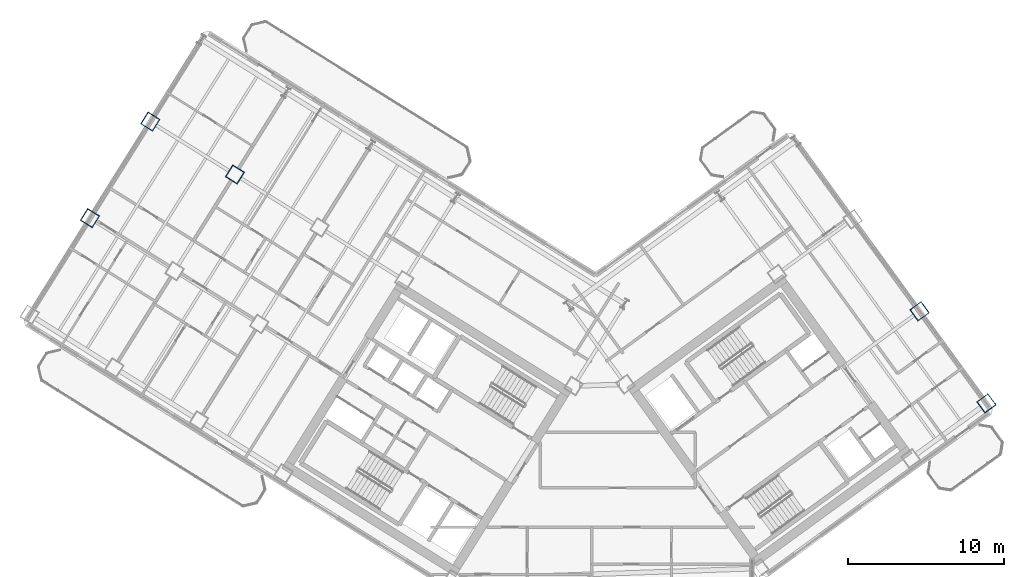
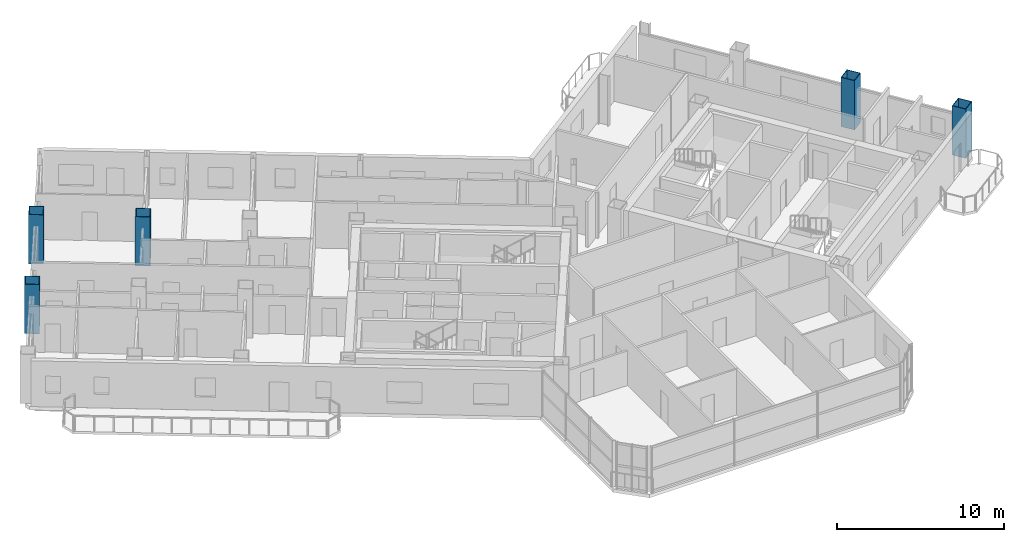
# One storey, part 2 of 21: 5 columns.
"""IFC4 building model written with IfcOpenShell, lengths in metres."""

from ifc_helpers import new_model, si_unit, direction, frame, origin, origin_2d, place, context, subcontext, project, spatial, hollow_rectangle, extrude, source, transform, mapped, material, material_profile, profile_set, type_object, element, save


model = new_model("IFC4")

# Units and contexts
model_context = context("Model", 3, precision=1e-05, world=origin(), true_north=direction((0.0, 1.0)))
body_context = subcontext(model_context, "Body", "Model", "MODEL_VIEW")
ifc_project = project(units=[si_unit("LENGTHUNIT", "METRE"), si_unit("AREAUNIT", "SQUARE_METRE"), si_unit("VOLUMEUNIT", "CUBIC_METRE"), si_unit("PLANEANGLEUNIT", "RADIAN"), si_unit("MASSUNIT", "GRAM", prefix="KILO")], contexts=[model_context])

# Site, building, storey
site_placement = place(None, origin())
site = spatial("IfcSite", under=ifc_project, at=site_placement, CompositionType="ELEMENT")
building_placement = place(site_placement, origin())
building = spatial("IfcBuilding", under=site, at=building_placement, Name="Tlacorven Tower", CompositionType="ELEMENT")
storey_placement = place(building_placement, frame((0.0, 0.0, 112.5)))
storey = spatial("IfcBuildingStorey", under=building, at=storey_placement, Name="L28", CompositionType="ELEMENT", Elevation=112.5)

# Columns
ifc_material = material(Name="Steel S460M", Category="steel")
ifc_material_profile = material_profile(ifc_material, hollow_rectangle(XDim=0.89990234375, YDim=0.89990234375, WallThickness=0.035888671875, at=origin_2d()), Name="BOX 900X900X36")
ifc_profile_set = profile_set([ifc_material_profile], Name="Steel S460M")
column_type = type_object("IfcColumnType", Name="COL-TWR-S2", PredefinedType="COLUMN", material=ifc_profile_set)
shared_shape = source(origin(), body_context, "Body", "SweptSolid", [
    extrude(hollow_rectangle(XDim=0.89990234375, YDim=0.89990234375, WallThickness=0.035888671875, at=origin_2d()), origin(), (0.0, 0.0, 1.0), 3.60009765625),
])
for number, where, z_axis, x_axis, name in (
    (1, (19.072998046875, 38.034423828125, 0.0), (0.0, 0.0, 1.0), (-0.848048096156, 0.529919264233, 0.0), "L28 column COL-L28-W5-2"),
    (2, (13.6455078125, 41.42578125, 0.0), (0.0, 0.0, 1.0), (-0.848048096156, 0.529919264233, 0.0), "L28 column COL-L28-W6-2"),
    (3, (9.777099609375, 35.235107421875, 0.0), (0.0, 0.0, 1.0), (-0.848048096156, 0.529919264233, 0.0), "L28 column COL-L28-W6-3"),
    (4, (67.267822265625, 23.353515625, 0.0), (0.0, 0.0, 1.0), (0.809016994375, 0.587785252292, 0.0), "L28 column COL-L28-E4-1"),
    (5, (62.976806640625, 29.25927734375, 0.0), (0.0, 0.0, 1.0), (0.809016994375, 0.587785252292, 0.0), "L28 column COL-L28-E4-2"),
):
    element("IfcColumn", number, at=place(storey_placement, frame(where, z_axis=z_axis, x_axis=x_axis)), inside=storey, type_object=column_type, Name=name, PredefinedType="COLUMN", context=body_context, shape_type="MappedRepresentation", body=[
        mapped(shared_shape, transform((0.0, 0.0, 0.0), scale=1.0)),
    ])

save(model, "model.ifc")
